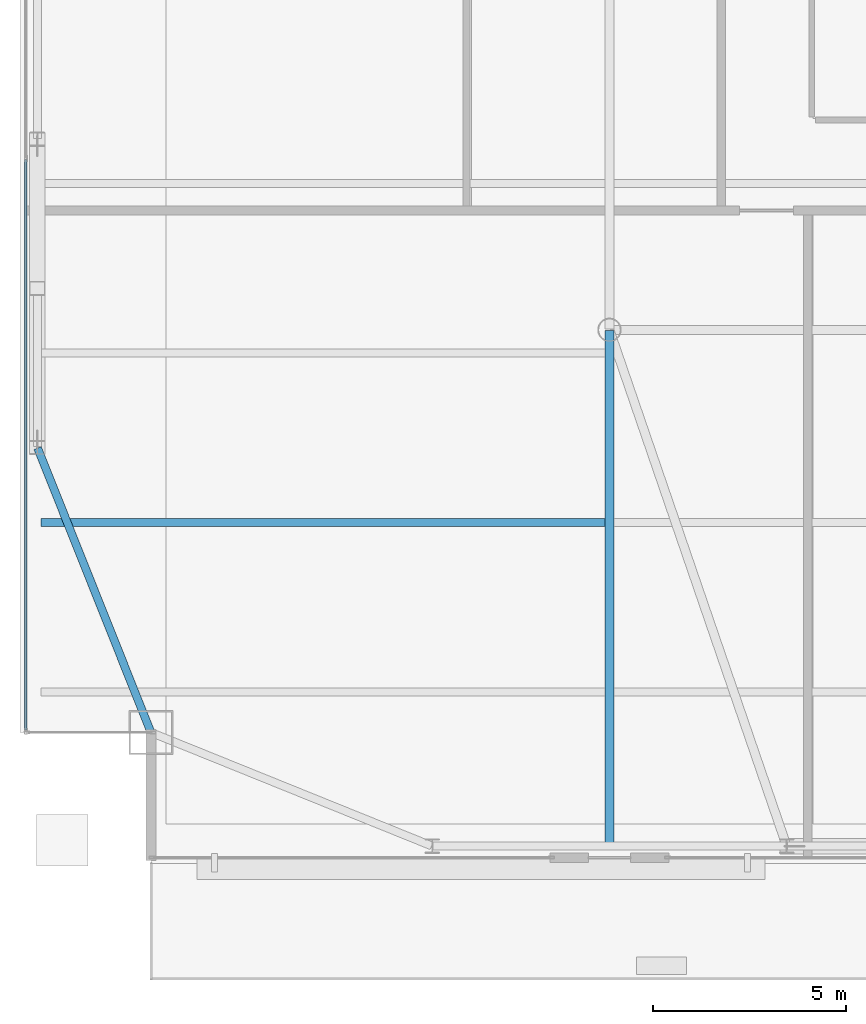
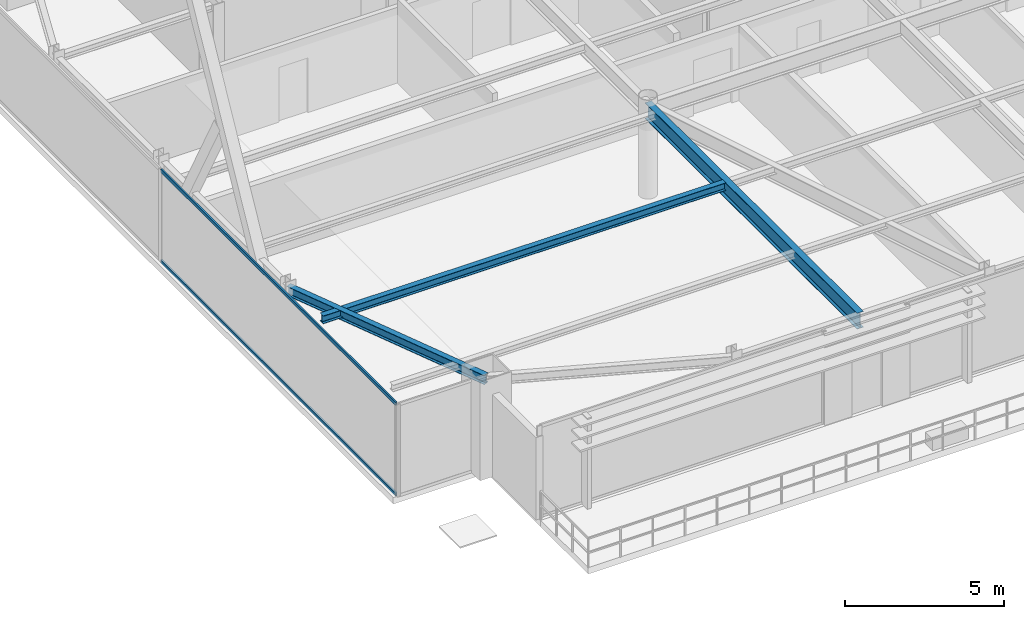
# One storey, part 7 of 33: 3 beams, 2 members, 1 element without a shape of its own.
"""IFC4 building model written with IfcOpenShell, lengths in metres."""

from ifc_helpers import new_model, si_unit, direction, frame, origin, origin_2d, place, context, subcontext, project, spatial, hollow_rectangle, i_section, extrude, source, transform, mapped, material, layer, layer_set, material_profile, profile_set, type_object, type_shapes, element, aggregate, save


model = new_model("IFC4")

# Units and contexts
model_context = context("Model", 3, precision=1e-05, world=origin(), true_north=direction((0.0, 1.0)))
body_context = subcontext(model_context, "Body", "Model", "MODEL_VIEW")
ifc_project = project(units=[si_unit("LENGTHUNIT", "METRE"), si_unit("AREAUNIT", "SQUARE_METRE"), si_unit("VOLUMEUNIT", "CUBIC_METRE"), si_unit("PLANEANGLEUNIT", "RADIAN"), si_unit("MASSUNIT", "GRAM", prefix="KILO")], contexts=[model_context])

# Site, building, storey
site_placement = place(None, origin())
site = spatial("IfcSite", under=ifc_project, at=site_placement, CompositionType="ELEMENT")
building_placement = place(site_placement, origin())
building = spatial("IfcBuilding", under=site, at=building_placement, Name="Varnel Quay Broadcast Tower", CompositionType="ELEMENT")
storey_placement = place(building_placement, frame((0.0, 0.0, 199.800048828125)))
storey = spatial("IfcBuildingStorey", under=building, at=storey_placement, Name="L49", CompositionType="ELEMENT", Elevation=199.800048828125)

# Beams
ifc_material_1 = material(Name="Structural Steel CSA G40.21 350W", Category="steel")
ifc_material_profile_1 = material_profile(ifc_material_1, i_section(OverallWidth=0.205078125, OverallDepth=0.35400390625, WebThickness=0.009521484375, FlangeThickness=0.016845703125, FilletRadius=0.012939453125, at=origin_2d()), Name="W360X79")
ifc_profile_set_1 = profile_set([ifc_material_profile_1], Name="Structural Steel CSA G40.21 350W")
beam_type_1 = type_object("IfcBeamType", Name="Beam_W360X79", PredefinedType="SPANDREL", material=ifc_profile_set_1)
shared_shape_1 = source(origin(), body_context, "Body", "SweptSolid", [
    extrude(i_section(OverallWidth=0.205078125, OverallDepth=0.35400390625, WebThickness=0.009521484375, FlangeThickness=0.016845703125, FilletRadius=0.012939453125, at=origin_2d()), origin(), (0.0, 0.0, 1.0), 7.92626953125),
])
type_shapes(beam_type_1, [shared_shape_1])
beam_1_placement = place(storey_placement, frame((12.892578125, 13.61865234375, 3.373046875), z_axis=(-0.370296431883, 0.928913641053, 0.0), x_axis=(-0.928913641053, -0.370296431883, 0.0)))
element("IfcBeam", 1, at=beam_1_placement, inside=storey, type_object=beam_type_1, Name="L49 West Spandrel MC-SW-TC-W1", PredefinedType="SPANDREL", context=body_context, shape_type="MappedRepresentation", body=[
    mapped(shared_shape_1, transform((0.0, 0.0, 0.0), x_axis=(1.0, 0.0, 0.0), y_axis=(0.0, 1.0, 0.0), z_axis=(0.0, 0.0, 1.0), scale=1.0)),
])
ifc_material_profile_2 = material_profile(ifc_material_1, i_section(OverallWidth=0.22998046875, OverallDepth=0.616943359375, WebThickness=0.01318359375, FlangeThickness=0.022216796875, FilletRadius=0.01611328125, at=origin_2d()), Name="W610X140")
ifc_profile_set_2 = profile_set([ifc_material_profile_2], Name="Structural Steel CSA G40.21 350W")
beam_type_2 = type_object("IfcBeamType", Name="Girder_W610X140", PredefinedType="BEAM", material=ifc_profile_set_2)
shared_shape_2 = source(origin(), body_context, "Body", "SweptSolid", [
    extrude(i_section(OverallWidth=0.22998046875, OverallDepth=0.616943359375, WebThickness=0.01318359375, FlangeThickness=0.022216796875, FilletRadius=0.01611328125, at=origin_2d()), origin(), (0.0, 0.0, 1.0), 13.360107421875),
])
type_shapes(beam_type_2, [shared_shape_2])
beam_2_placement = place(storey_placement, frame((24.800048828125, 10.669921875, 3.241455078125), z_axis=(0.0, 1.0, 0.0), x_axis=(-1.0, 0.0, 0.0)))
element("IfcBeam", 2, at=beam_2_placement, inside=storey, type_object=beam_type_2, Name="L49 N-S Joist Header IC-01S", PredefinedType="BEAM", context=body_context, shape_type="MappedRepresentation", body=[
    mapped(shared_shape_2, transform((0.0, 0.0, 0.0), x_axis=(1.0, 0.0, 0.0), y_axis=(0.0, 1.0, 0.0), z_axis=(0.0, 0.0, 1.0), scale=1.0)),
])
ifc_material_profile_3 = material_profile(ifc_material_1, i_section(OverallWidth=0.202880859375, OverallDepth=0.302978515625, WebThickness=0.007568359375, FlangeThickness=0.01318359375, FilletRadius=0.011962890625, at=origin_2d()), Name="W310X60")
ifc_profile_set_3 = profile_set([ifc_material_profile_3], Name="Structural Steel CSA G40.21 350W")
beam_type_3 = type_object("IfcBeamType", Name="Beam_W310X60", PredefinedType="JOIST", material=ifc_profile_set_3)
shared_shape_3 = source(origin(), body_context, "Body", "SweptSolid", [
    extrude(i_section(OverallWidth=0.202880859375, OverallDepth=0.302978515625, WebThickness=0.007568359375, FlangeThickness=0.01318359375, FilletRadius=0.011962890625, at=origin_2d()), origin(), (0.0, 0.0, 1.0), 14.642333984375),
])
type_shapes(beam_type_3, [shared_shape_3])
beam_3_placement = place(storey_placement, frame((10.047607421875, 19.050048828125, 3.3984375), z_axis=(1.0, 0.0, 0.0), x_axis=(0.0, 1.0, 0.0)))
element("IfcBeam", 3, at=beam_3_placement, inside=storey, type_object=beam_type_3, Name="L49 West Floor Joist 2", PredefinedType="JOIST", context=body_context, shape_type="MappedRepresentation", body=[
    mapped(shared_shape_3, transform((0.0, 0.0, 0.0), x_axis=(1.0, 0.0, 0.0), y_axis=(0.0, 1.0, 0.0), z_axis=(0.0, 0.0, 1.0), scale=1.0)),
])

# Curtain wall, members
ifc_material_2 = material(Name="Anodised Bronze Aluminium 6063-T6", Category="aluminium")
ifc_layer = layer(ifc_material_2, 0.18994140625, Name="Anodised Bronze Aluminium 6063-T6")
ifc_layer_set = layer_set([ifc_layer], Name="Anodised Bronze Aluminium 6063-T6")
curtain_wall_type = type_object("IfcCurtainWallType", Name="CW_UpperTower", PredefinedType="NOTDEFINED", material=ifc_layer_set)
curtain_wall_placement = place(storey_placement, origin())
curtain_wall = element("IfcCurtainWall", 4, at=curtain_wall_placement, inside=storey, type_object=curtain_wall_type, Name="L49 West Unitised Curtain Wall", PredefinedType="NOTDEFINED")
ifc_material_profile_4 = material_profile(ifc_material_2, hollow_rectangle(XDim=0.06005859375, YDim=0.125, WallThickness=0.0029296875, at=origin_2d()), Name="ALU60X125X3")
ifc_profile_set_4 = profile_set([ifc_material_profile_4], Name="Anodised Bronze Aluminium 6063-T6")
member_type = type_object("IfcMemberType", Name="Tran_CWS-03", PredefinedType="USERDEFINED", material=ifc_profile_set_4)
shared_shape_4 = source(origin(), body_context, "Body", "SweptSolid", [
    extrude(hollow_rectangle(XDim=0.06005859375, YDim=0.125, WallThickness=0.0029296875, at=origin_2d()), origin(), (0.0, 0.0, 1.0), 14.802490234375),
])
type_shapes(member_type, [shared_shape_4])
member_1_placement = place(storey_placement, frame((9.64990234375, 13.6650390625, 0.030029296875), z_axis=(0.0, 1.0, 0.0), x_axis=(-1.0, 0.0, 0.0)))
member_1 = element("IfcMember", 5, at=member_1_placement, type_object=member_type, Name="CWS-03 transom 1.1", ObjectType="TRANSOM", PredefinedType="USERDEFINED", context=body_context, shape_type="MappedRepresentation", body=[
    mapped(shared_shape_4, transform((0.0, 0.0, 0.0), x_axis=(1.0, 0.0, 0.0), y_axis=(0.0, 1.0, 0.0), z_axis=(0.0, 0.0, 1.0), scale=1.0)),
])
member_2_placement = place(storey_placement, frame((9.64990234375, 13.6650390625, 3.52001953125), z_axis=(0.0, 1.0, 0.0), x_axis=(-1.0, 0.0, 0.0)))
member_2 = element("IfcMember", 6, at=member_2_placement, type_object=member_type, Name="CWS-03 transom 1.2", ObjectType="TRANSOM", PredefinedType="USERDEFINED", context=body_context, shape_type="MappedRepresentation", body=[
    mapped(shared_shape_4, transform((0.0, 0.0, 0.0), x_axis=(1.0, 0.0, 0.0), y_axis=(0.0, 1.0, 0.0), z_axis=(0.0, 0.0, 1.0), scale=1.0)),
])
aggregate(curtain_wall, [member_1, member_2])

save(model, "model.ifc")
